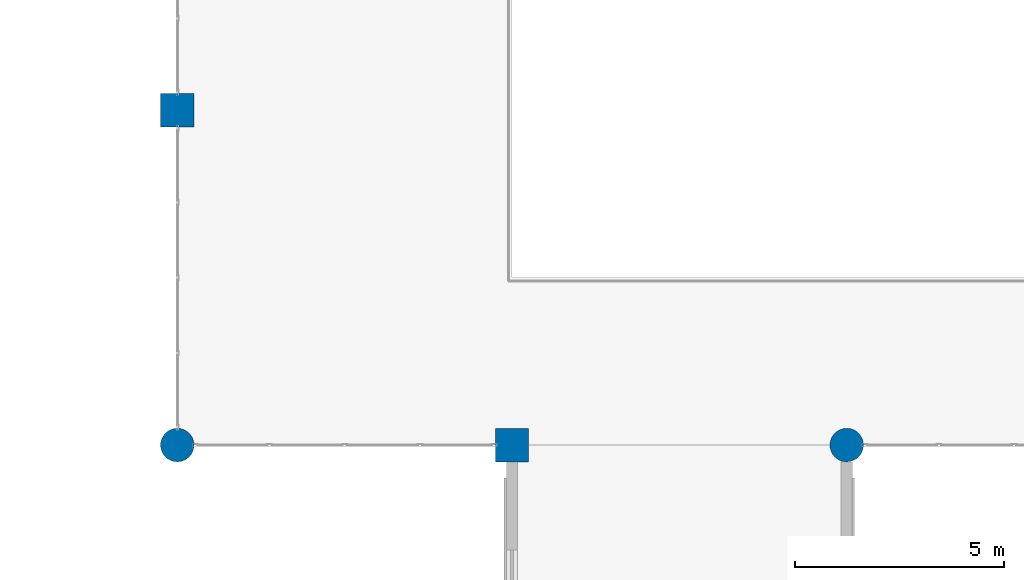
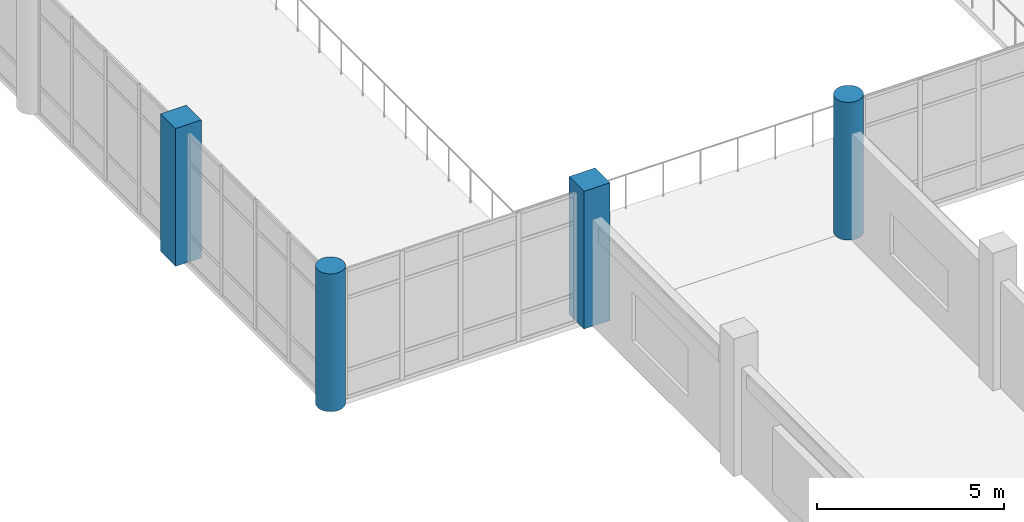
# One storey, part 2 of 42: 4 columns.
"""IFC4 building model written with IfcOpenShell, lengths in metres."""

from ifc_helpers import new_model, si_unit, direction, frame, origin, origin_2d, place, context, subcontext, project, spatial, rectangle, circle, extrude, material, material_profile, profile_set, type_object, element, save


model = new_model("IFC4")

# Units and contexts
model_context = context("Model", 3, precision=1e-05, world=origin(), true_north=direction((0.0, 1.0)))
body_context = subcontext(model_context, "Body", "Model", "MODEL_VIEW")
ifc_project = project(units=[si_unit("LENGTHUNIT", "METRE"), si_unit("AREAUNIT", "SQUARE_METRE"), si_unit("VOLUMEUNIT", "CUBIC_METRE"), si_unit("PLANEANGLEUNIT", "RADIAN"), si_unit("MASSUNIT", "GRAM", prefix="KILO")], contexts=[model_context])

# Site, building, storey
site_placement = place(None, origin())
site = spatial("IfcSite", under=ifc_project, at=site_placement, CompositionType="ELEMENT")
building_placement = place(site_placement, origin())
building = spatial("IfcBuilding", under=site, at=building_placement, Name="Solmirada Galleria", CompositionType="ELEMENT")
storey_placement = place(building_placement, frame((0.0, 0.0, 28.39990234375)))
storey = spatial("IfcBuildingStorey", under=building, at=storey_placement, Name="L06", CompositionType="ELEMENT", Elevation=28.39990234375)

# Columns
ifc_material = material(Name="Concrete C40/50", Category="concrete")
ifc_material_profile_1 = material_profile(ifc_material, circle(Radius=0.39990234375, at=origin_2d()), Name="RCCOL800")
ifc_profile_set_1 = profile_set([ifc_material_profile_1], Name="Concrete C40/50")
column_type_1 = type_object("IfcColumnType", Name="COL-CIR800", PredefinedType="COLUMN", material=ifc_profile_set_1)
for number, where, z_axis, x_axis, name in (
    (1, (80.0, 48.0, 0.0), (0.0, 0.0, 1.0), (1.0, 0.0, 0.0), "Structural column L06-0394"),
    (2, (96.0, 48.0, 0.0), (0.0, 0.0, 1.0), (1.0, 0.0, 0.0), "Structural column L06-0639"),
):
    element("IfcColumn", number, at=place(storey_placement, frame(where, z_axis=z_axis, x_axis=x_axis)), inside=storey, type_object=column_type_1, Name=name, PredefinedType="COLUMN", context=body_context, shape_type="SweptSolid", body=[
        extrude(circle(Radius=0.39990234375, at=origin_2d()), origin(), (0.0, 0.0, 1.0), 4.5),
    ])
ifc_material_profile_2 = material_profile(ifc_material, rectangle(XDim=0.800048828125, YDim=0.800048828125, at=origin_2d()), Name="RC800X800")
ifc_profile_set_2 = profile_set([ifc_material_profile_2], Name="Concrete C40/50")
column_type_2 = type_object("IfcColumnType", Name="COL-RC800", PredefinedType="COLUMN", material=ifc_profile_set_2)
for number, where, z_axis, x_axis, name in (
    (3, (80.0, 56.0, 0.0), (0.0, 0.0, 1.0), (1.0, 0.0, 0.0), "Structural column L06-0403"),
    (4, (88.0, 48.0, 0.0), (0.0, 0.0, 1.0), (1.0, 0.0, 0.0), "Structural column L06-0517"),
):
    element("IfcColumn", number, at=place(storey_placement, frame(where, z_axis=z_axis, x_axis=x_axis)), inside=storey, type_object=column_type_2, Name=name, PredefinedType="COLUMN", context=body_context, shape_type="SweptSolid", body=[
        extrude(rectangle(XDim=0.800048828125, YDim=0.800048828125, at=origin_2d()), origin(), (0.0, 0.0, 1.0), 4.5),
    ])

save(model, "model.ifc")
